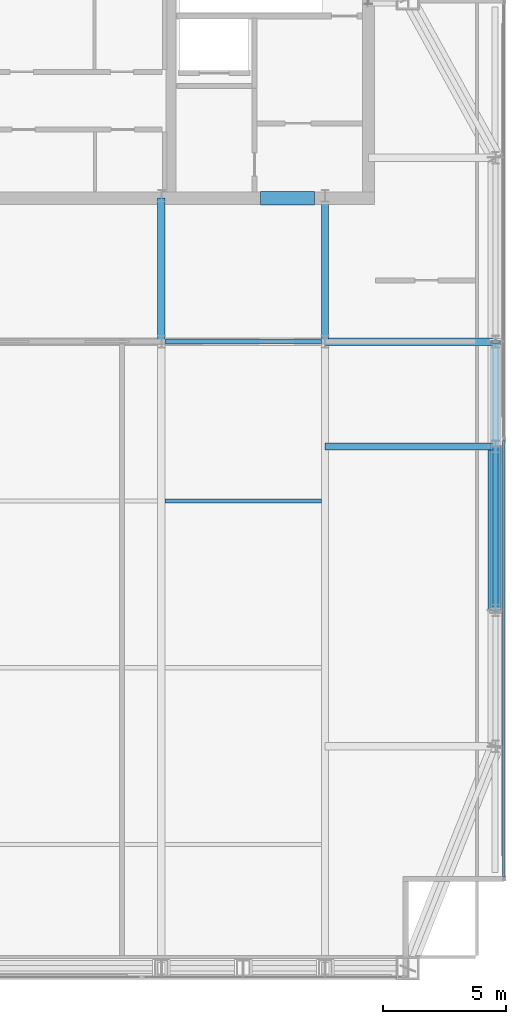
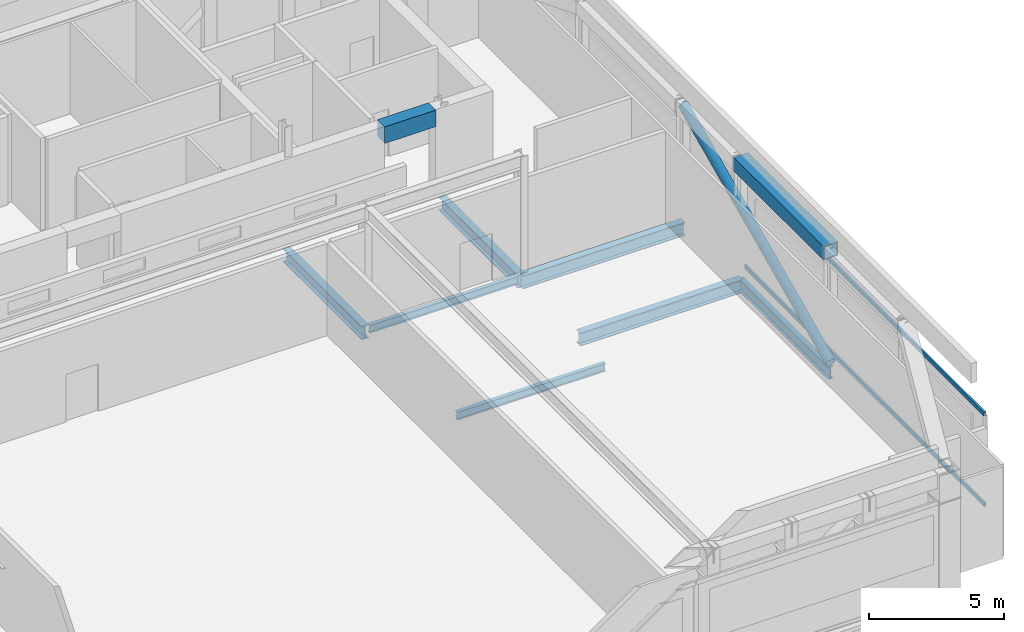
# One storey, part 13 of 24: 9 beams, 3 members, 1 element without a shape of its own.
"""IFC4 building model written with IfcOpenShell, lengths in metres."""

from ifc_helpers import new_model, si_unit, direction, frame, origin, origin_2d, place, context, subcontext, project, spatial, rectangle, hollow_rectangle, hollow_circle, i_section, extrude, material, material_profile, profile_set, type_object, element, aggregate, save


model = new_model("IFC4")

# Units and contexts
model_context = context("Model", 3, precision=1e-05, world=origin(), true_north=direction((0.0, 1.0)))
body_context = subcontext(model_context, "Body", "Model", "MODEL_VIEW")
ifc_project = project(units=[si_unit("LENGTHUNIT", "METRE"), si_unit("AREAUNIT", "SQUARE_METRE"), si_unit("VOLUMEUNIT", "CUBIC_METRE"), si_unit("PLANEANGLEUNIT", "RADIAN"), si_unit("MASSUNIT", "GRAM", prefix="KILO")], contexts=[model_context])

# Site, building, storey
site_placement = place(None, origin())
site = spatial("IfcSite", under=ifc_project, at=site_placement, CompositionType="ELEMENT")
building_placement = place(site_placement, origin())
building = spatial("IfcBuilding", under=site, at=building_placement, Name="Khoronbel Lancet Exchange", CompositionType="ELEMENT")
storey_placement = place(building_placement, frame((0.0, 0.0, 378.60009765625)))
storey = spatial("IfcBuildingStorey", under=building, at=storey_placement, Name="L96", CompositionType="ELEMENT", Elevation=378.60009765625)

# Beams
ifc_material_1 = material(Name="Steel S355", Category="steel")
ifc_material_profile_1 = material_profile(ifc_material_1, i_section(OverallWidth=0.300048828125, OverallDepth=0.60009765625, WebThickness=0.015380859375, FlangeThickness=0.030029296875, at=origin_2d()), Name="HEB 600")
ifc_profile_set_1 = profile_set([ifc_material_profile_1], Name="Steel S355")
beam_type_1 = type_object("IfcBeamType", Name="BM-BG5", PredefinedType="BEAM", material=ifc_profile_set_1)
for number, where, z_axis, x_axis, name in (
    (1, (48.0, 35.699951171875, -0.5), (0.0, 1.0, 0.0), (-1.0, 0.0, 0.0), "Level L96 spine tie girder GN5"),
    (2, (54.675048828125, 35.699951171875, -0.5), (0.0, 1.0, 0.0), (-1.0, 0.0, 0.0), "Level L96 spine tie girder GN6"),
):
    element("IfcBeam", number, at=place(storey_placement, frame(where, z_axis=z_axis, x_axis=x_axis)), inside=storey, type_object=beam_type_1, Name=name, PredefinedType="BEAM", context=body_context, shape_type="SweptSolid", body=[
        extrude(i_section(OverallWidth=0.300048828125, OverallDepth=0.60009765625, WebThickness=0.015380859375, FlangeThickness=0.030029296875, at=origin_2d()), origin(), (0.0, 0.0, 1.0), 5.85009765625),
    ])
for number, where, z_axis, x_axis, name in (
    (3, (54.675048828125, 31.425048828125, -0.5), (1.0, 0.0, 0.0), (0.0, 1.0, 0.0), "Level L96 east lens tie girder LG2E"),
    (4, (54.675048828125, 35.699951171875, -0.5), (1.0, 0.0, 0.0), (0.0, 1.0, 0.0), "Level L96 east lens tie girder LG4E"),
):
    element("IfcBeam", number, at=place(storey_placement, frame(where, z_axis=z_axis, x_axis=x_axis)), inside=storey, type_object=beam_type_1, Name=name, PredefinedType="BEAM", context=body_context, shape_type="SweptSolid", body=[
        extrude(i_section(OverallWidth=0.300048828125, OverallDepth=0.60009765625, WebThickness=0.015380859375, FlangeThickness=0.030029296875, at=origin_2d()), origin(), (0.0, 0.0, 1.0), 6.954833984375),
    ])
ifc_material_profile_2 = material_profile(ifc_material_1, i_section(OverallWidth=0.169921875, OverallDepth=0.360107421875, WebThickness=0.008056640625, FlangeThickness=0.0126953125, at=origin_2d()), Name="IPE 360")
ifc_profile_set_2 = profile_set([ifc_material_profile_2], Name="Steel S355")
beam_type_2 = type_object("IfcBeamType", Name="BM-BJ6", PredefinedType="JOIST", material=ifc_profile_set_2)
for number, where, z_axis, x_axis, name in (
    (5, (48.14990234375, 29.199951171875, -0.380126953125), (1.0, 0.0, 0.0), (0.0, 1.0, 0.0), "Level L96 secondary composite joist J09"),
    (6, (48.14990234375, 35.699951171875, -0.380126953125), (1.0, 0.0, 0.0), (0.0, 1.0, 0.0), "Level L96 secondary composite joist J12"),
):
    element("IfcBeam", number, at=place(storey_placement, frame(where, z_axis=z_axis, x_axis=x_axis)), inside=storey, type_object=beam_type_2, Name=name, PredefinedType="JOIST", context=body_context, shape_type="SweptSolid", body=[
        extrude(i_section(OverallWidth=0.169921875, OverallDepth=0.360107421875, WebThickness=0.008056640625, FlangeThickness=0.0126953125, at=origin_2d()), origin(), (0.0, 0.0, 1.0), 6.375),
    ])
ifc_material_2 = material(Name="Concrete C60/75", Category="concrete")
ifc_material_profile_3 = material_profile(ifc_material_2, rectangle(XDim=0.550048828125, YDim=0.75, at=origin_2d()), Name="RC 550x750")
ifc_profile_set_3 = profile_set([ifc_material_profile_3], Name="Concrete C60/75")
beam_type_3 = type_object("IfcBeamType", Name="BM-BL2", PredefinedType="LINTEL", material=ifc_profile_set_3)
beam_1_placement = place(storey_placement, frame((52.050048828125, 41.550048828125, 3.625), z_axis=(1.0, 0.0, 0.0), x_axis=(0.0, 1.0, 0.0)))
element("IfcBeam", 7, at=beam_1_placement, inside=storey, type_object=beam_type_3, Name="Level L96 rear core coupling lintel L4", PredefinedType="LINTEL", context=body_context, shape_type="SweptSolid", body=[
    extrude(rectangle(XDim=0.550048828125, YDim=0.75, at=origin_2d()), origin(), (0.0, 0.0, 1.0), 2.199951171875),
])
ifc_material_profile_4 = material_profile(ifc_material_1, i_section(OverallWidth=0.2099609375, OverallDepth=0.550048828125, WebThickness=0.010986328125, FlangeThickness=0.01708984375, at=origin_2d()), Name="IPE 550")
ifc_profile_set_4 = profile_set([ifc_material_profile_4], Name="Steel S355")
beam_type_4 = type_object("IfcBeamType", Name="BM-BSP3", PredefinedType="SPANDREL", material=ifc_profile_set_4)
beam_2_placement = place(storey_placement, frame((61.6298828125, 24.75, -0.47509765625), z_axis=(0.0, 1.0, 0.0), x_axis=(-1.0, 0.0, 0.0)))
element("IfcBeam", 8, at=beam_2_placement, inside=storey, type_object=beam_type_4, Name="Level L96 perimeter spandrel beam SP10", PredefinedType="SPANDREL", context=body_context, shape_type="SweptSolid", body=[
    extrude(i_section(OverallWidth=0.2099609375, OverallDepth=0.550048828125, WebThickness=0.010986328125, FlangeThickness=0.01708984375, at=origin_2d()), origin(), (0.0, 0.0, 1.0), 6.675048828125),
])
ifc_material_profile_5 = material_profile(ifc_material_1, hollow_rectangle(XDim=0.6201171875, YDim=0.6201171875, WallThickness=0.0400390625, at=origin_2d()), Name="BOX 620x620x40")
ifc_profile_set_5 = profile_set([ifc_material_profile_5], Name="Steel S355")
beam_type_5 = type_object("IfcBeamType", Name="BM-RB1", PredefinedType="USERDEFINED", material=ifc_profile_set_5)
beam_3_placement = place(storey_placement, frame((61.6298828125, 24.75, 5.0498046875), z_axis=(0.0, 1.0, 0.0), x_axis=(-1.0, 0.0, 0.0)))
element("IfcBeam", 9, at=beam_3_placement, inside=storey, type_object=beam_type_5, Name="CROWN FRAME top ring cap beam RB10", ObjectType="RING BEAM", PredefinedType="USERDEFINED", context=body_context, shape_type="SweptSolid", body=[
    extrude(hollow_rectangle(XDim=0.6201171875, YDim=0.6201171875, WallThickness=0.0400390625, at=origin_2d()), origin(), (0.0, 0.0, 1.0), 6.675048828125),
])

# Curtain wall, members
ifc_material_3 = material(Name="Low-E Solar Control Insulating Glass", Category="glass")
curtain_wall_type = type_object("IfcCurtainWallType", Name="CW-6", PredefinedType="NOTDEFINED", material=ifc_material_3)
curtain_wall_placement = place(storey_placement, origin())
curtain_wall = element("IfcCurtainWall", 10, at=curtain_wall_placement, inside=storey, type_object=curtain_wall_type, Name="Unitised curtain wall CW-L96-E09", PredefinedType="NOTDEFINED")
ifc_material_4 = material(Name="Bronze-Anodised Aluminium 6063-T6", Category="aluminium")
ifc_material_profile_6 = material_profile(ifc_material_4, hollow_rectangle(XDim=0.0849609375, YDim=0.179931640625, WallThickness=0.0048828125, at=origin_2d()), Name="ALU TRANSOM 85x180")
ifc_profile_set_6 = profile_set([ifc_material_profile_6], Name="Bronze-Anodised Aluminium 6063-T6")
member_type_1 = type_object("IfcMemberType", Name="MEM-CWT1", PredefinedType="USERDEFINED", material=ifc_profile_set_6)
member_1_placement = place(storey_placement, frame((61.9599609375, 31.66259765625, 0.04248046875), z_axis=(0.0, -1.0, 0.0), x_axis=(1.0, 0.0, 0.0)))
member_1 = element("IfcMember", 11, at=member_1_placement, type_object=member_type_1, Name="CW6 transom 2.1", ObjectType="TRANSOM", PredefinedType="USERDEFINED", context=body_context, shape_type="SweptSolid", body=[
    extrude(hollow_rectangle(XDim=0.0849609375, YDim=0.179931640625, WallThickness=0.0048828125, at=origin_2d()), origin(), (0.0, 0.0, 1.0), 17.797607421875),
])
member_2_placement = place(storey_placement, frame((61.9599609375, 31.66259765625, 4.137451171875), z_axis=(0.0, -1.0, 0.0), x_axis=(1.0, 0.0, 0.0)))
member_2 = element("IfcMember", 12, at=member_2_placement, type_object=member_type_1, Name="CW6 transom 2.2", ObjectType="TRANSOM", PredefinedType="USERDEFINED", context=body_context, shape_type="SweptSolid", body=[
    extrude(hollow_rectangle(XDim=0.0849609375, YDim=0.179931640625, WallThickness=0.0048828125, at=origin_2d()), origin(), (0.0, 0.0, 1.0), 17.797607421875),
])
aggregate(curtain_wall, [member_1, member_2])

# Member
ifc_material_profile_7 = material_profile(ifc_material_1, hollow_circle(Radius=0.203125, WallThickness=0.02001953125, at=origin_2d()), Name="CHS 406.4x20")
ifc_profile_set_7 = profile_set([ifc_material_profile_7], Name="Steel S355")
member_type_2 = type_object("IfcMemberType", Name="MEM-STR2", PredefinedType="STRUT", material=ifc_profile_set_7)
member_3_placement = place(storey_placement, frame((61.6298828125, 24.75, 0.0), z_axis=(0.0, 0.908086156601, 0.418783395312), x_axis=(-1.0, 0.0, 0.0)))
element("IfcMember", 13, at=member_3_placement, inside=storey, type_object=member_type_2, Name="CROWN FRAME diagonal ring brace L96-E1", PredefinedType="STRUT", context=body_context, shape_type="SweptSolid", body=[
    extrude(hollow_circle(Radius=0.203125, WallThickness=0.02001953125, at=origin_2d()), origin(), (0.0, 0.0, 1.0), 12.058349609375),
])

save(model, "model.ifc")
